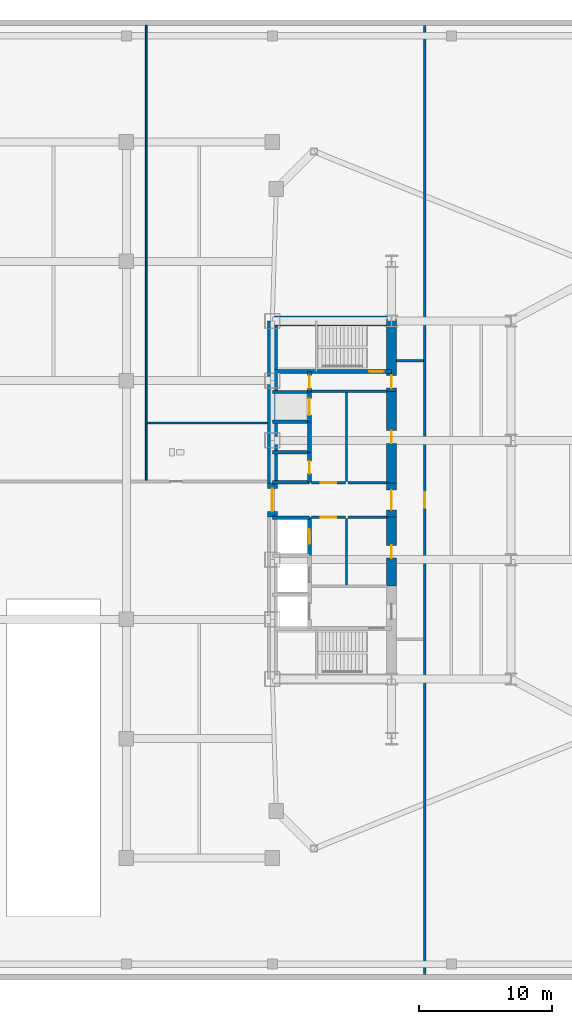
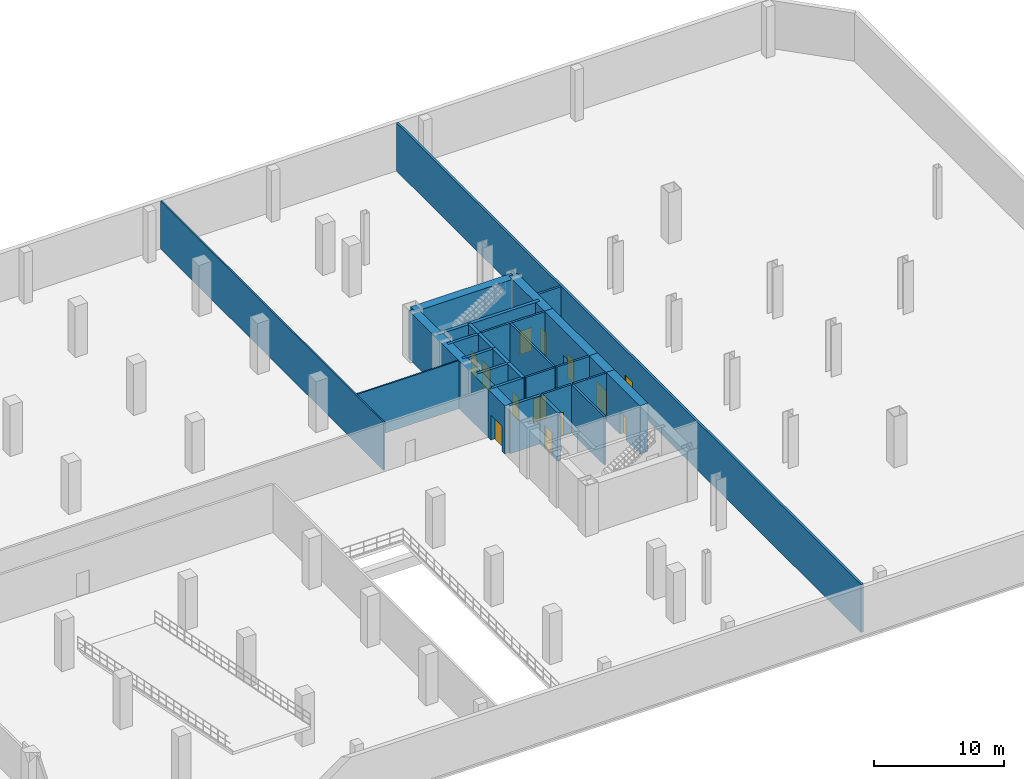
# One storey, part 13 of 18: 29 walls, 13 doors, 13 openings.
"""IFC4 building model written with IfcOpenShell, lengths in metres."""

from ifc_helpers import new_model, si_unit, direction, frame, frame_2d, origin, place, context, subcontext, project, spatial, rectangle, extrude, source, transform, mapped, material, layer, layer_set, type_object, type_shapes, element, fill, save


model = new_model("IFC4")

# Units and contexts
model_context = context("Model", 3, precision=1e-05, world=origin(), true_north=direction((0.0, 1.0)))
body_context = subcontext(model_context, "Body", "Model", "MODEL_VIEW")
ifc_project = project(units=[si_unit("LENGTHUNIT", "METRE"), si_unit("AREAUNIT", "SQUARE_METRE"), si_unit("VOLUMEUNIT", "CUBIC_METRE"), si_unit("PLANEANGLEUNIT", "RADIAN"), si_unit("MASSUNIT", "GRAM", prefix="KILO")], contexts=[model_context])

# Site, building, storey
site_placement = place(None, origin())
site = spatial("IfcSite", under=ifc_project, at=site_placement, CompositionType="ELEMENT")
building_placement = place(site_placement, origin())
building = spatial("IfcBuilding", under=site, at=building_placement, Name="Seokmaru Belvedere", CompositionType="ELEMENT")
storey_placement = place(building_placement, frame((0.0, 0.0, -4.800048828125)))
storey = spatial("IfcBuildingStorey", under=building, at=storey_placement, Name="B1", CompositionType="ELEMENT", Elevation=-4.800048828125)

# Walls
ifc_material_1 = material(Name="Fire-Rated Gypsum Shaftwall")
ifc_layer_1 = layer(ifc_material_1, 0.179931640625)
ifc_layer_set_1 = layer_set([ifc_layer_1], Name="Fire-Rated Gypsum Shaftwall")
wall_type_1 = type_object("IfcWallType", Name="Core Service Fire Partition 180", PredefinedType="PARTITIONING", material=ifc_layer_set_1)
wall_1_placement = place(storey_placement, frame((30.449951171875, 8.199951171875, 0.0), z_axis=(0.0, 0.0, 1.0), x_axis=(1.0, 0.0, 0.0)))
element("IfcWall", 1, at=wall_1_placement, inside=storey, type_object=wall_type_1, Name="B1 East Smokeproof Vestibule Partition", PredefinedType="PARTITIONING", context=body_context, shape_type="SweptSolid", body=[
    extrude(rectangle(XDim=5.699951171875, YDim=0.179931640625, at=frame_2d((2.85009765625, 0.0))), origin(), (0.0, 0.0, 1.0), 4.52001953125),
])
wall_2_placement = place(storey_placement, frame((33.10009765625, -6.419921875, 0.0), z_axis=(0.0, 0.0, 1.0), x_axis=(0.0, 1.0, 0.0)))
element("IfcWall", 2, at=wall_2_placement, inside=storey, type_object=wall_type_1, Name="B1 East South Core Service Back Wall", PredefinedType="PARTITIONING", context=body_context, shape_type="SweptSolid", body=[
    extrude(rectangle(XDim=5.0400390625, YDim=0.179931640625, at=frame_2d((2.52001953125, 0.0))), origin(), (0.0, 0.0, 1.0), 4.52001953125),
])
wall_3_placement = place(storey_placement, frame((33.10009765625, 1.3798828125, 0.0), z_axis=(0.0, 0.0, 1.0), x_axis=(0.0, 1.0, 0.0)))
element("IfcWall", 3, at=wall_3_placement, inside=storey, type_object=wall_type_1, Name="B1 East North Core Service Back Wall", PredefinedType="PARTITIONING", context=body_context, shape_type="SweptSolid", body=[
    extrude(rectangle(XDim=6.740234375, YDim=0.179931640625, at=frame_2d((3.3701171875, 0.0))), origin(), (0.0, 0.0, 1.0), 4.52001953125),
])

# Wall, opening, door
wall_4_placement = place(storey_placement, frame((30.449951171875, -1.300048828125, 0.0), z_axis=(0.0, 0.0, 1.0), x_axis=(1.0, 0.0, 0.0)))
wall_4 = element("IfcWall", 4, at=wall_4_placement, inside=storey, type_object=wall_type_1, Name="B1 East South Lift Lobby Foyer Wall", PredefinedType="PARTITIONING", context=body_context, shape_type="SweptSolid", body=[
    extrude(rectangle(XDim=2.570068359375, YDim=0.179931640625, at=frame_2d((1.28515625, 0.0))), origin(), (0.0, 0.0, 1.0), 4.52001953125),
])
opening_1_placement = place(wall_4_placement, frame((0.7099609375, 0.0, 0.0)))
opening_1 = element("IfcOpeningElement", 5, at=opening_1_placement, cuts=wall_4, Name="Opening D02", PredefinedType="OPENING", context=body_context, shape_type="SweptSolid", body=[
    extrude(rectangle(XDim=1.14990234375, YDim=2.199951171875, at=frame_2d((0.574951171875, 1.10009765625))), frame((0.0, 0.10009765625, 0.0), z_axis=(0.0, -1.0, 0.0), x_axis=(1.0, 0.0, 0.0)), (0.0, 0.0, 1.0), 0.199951171875),
])
ifc_material_2 = material(Name="Fire-Rated Steel Leaf", Category="steel")
door_type_1 = type_object("IfcDoorType", Name="Lobby and Vestibule Fire Door 1150x2200", OperationType="NOTDEFINED", PredefinedType="DOOR", material=ifc_material_2)
shared_shape_1 = source(origin(), body_context, "Body", "SweptSolid", [
    extrude(rectangle(XDim=1.14990234375, YDim=2.199951171875, at=frame_2d((0.574951171875, 1.10009765625))), frame((0.0, 0.02490234375, 0.0), z_axis=(0.0, -1.0, 0.0), x_axis=(1.0, 0.0, 0.0)), (0.0, 0.0, 1.0), 0.050048828125),
])
type_shapes(door_type_1, [shared_shape_1])
door_1_placement = place(opening_1_placement, origin())
door_1 = element("IfcDoor", 6, at=door_1_placement, inside=storey, type_object=door_type_1, Name="B1 East South Core Foyer Door", OperationType="SINGLE_SWING_RIGHT", OverallHeight=2.199951171875, OverallWidth=1.14990234375, PredefinedType="DOOR", context=body_context, shape_type="MappedRepresentation", body=[
    mapped(shared_shape_1, transform((0.0, 0.0, 0.0), scale=1.0)),
])
fill(opening_1, door_1)

wall_5_placement = place(storey_placement, frame((30.449951171875, 1.300048828125, 0.0), z_axis=(0.0, 0.0, 1.0), x_axis=(1.0, 0.0, 0.0)))
wall_5 = element("IfcWall", 7, at=wall_5_placement, inside=storey, type_object=wall_type_1, Name="B1 East North Lift Lobby Foyer Wall", PredefinedType="PARTITIONING", context=body_context, shape_type="SweptSolid", body=[
    extrude(rectangle(XDim=2.570068359375, YDim=0.179931640625, at=frame_2d((1.28515625, 0.0))), origin(), (0.0, 0.0, 1.0), 4.52001953125),
])
opening_2_placement = place(wall_5_placement, frame((0.7099609375, 0.0, 0.0)))
opening_2 = element("IfcOpeningElement", 8, at=opening_2_placement, cuts=wall_5, Name="Opening D02", PredefinedType="OPENING", context=body_context, shape_type="SweptSolid", body=[
    extrude(rectangle(XDim=1.14990234375, YDim=2.199951171875, at=frame_2d((0.574951171875, 1.10009765625))), frame((0.0, 0.10009765625, 0.0), z_axis=(0.0, -1.0, 0.0), x_axis=(1.0, 0.0, 0.0)), (0.0, 0.0, 1.0), 0.199951171875),
])
door_2_placement = place(opening_2_placement, origin())
door_2 = element("IfcDoor", 9, at=door_2_placement, inside=storey, type_object=door_type_1, Name="B1 East North Lift Lobby Door", OperationType="SINGLE_SWING_LEFT", OverallHeight=2.199951171875, OverallWidth=1.14990234375, PredefinedType="DOOR", context=body_context, shape_type="MappedRepresentation", body=[
    mapped(shared_shape_1, transform((0.0, 0.0, 0.0), scale=1.0)),
])
fill(opening_2, door_2)

# Walls
for number, where, z_axis, x_axis, name in (
    (10, (33.199951171875, -1.300048828125, 0.0), (0.0, 0.0, 1.0), (1.0, 0.0, 0.0), "B1 East Foyer Side Wall S"),
    (11, (33.199951171875, 1.300048828125, 0.0), (0.0, 0.0, 1.0), (1.0, 0.0, 0.0), "B1 East Foyer Side Wall N"),
):
    element("IfcWall", number, at=place(storey_placement, frame(where, z_axis=z_axis, x_axis=x_axis)), inside=storey, type_object=wall_type_1, Name=name, PredefinedType="PARTITIONING", context=body_context, shape_type="SweptSolid", body=[
        extrude(rectangle(XDim=2.949951171875, YDim=0.179931640625, at=frame_2d((1.47509765625, 0.0))), origin(), (0.0, 0.0, 1.0), 4.52001953125),
    ])
ifc_material_3 = material(Name="Concrete C50 (50 MPa)", Category="concrete")
ifc_layer_2 = layer(ifc_material_3, 0.25)
ifc_layer_set_2 = layer_set([ifc_layer_2], Name="Concrete C50 (50 MPa)")
wall_type_2 = type_object("IfcWallType", Name="Hoistway Transverse Concrete Divider Wall 250", PredefinedType="SHEAR", material=ifc_layer_set_2)
for number, where, z_axis, x_axis, name in (
    (12, (27.5, -1.35009765625, 0.0), (0.0, 0.0, 1.0), (1.0, 0.0, 0.0), "B1 East Hoistway Divider Core Wall 3"),
    (13, (27.5, 1.35009765625, 0.0), (0.0, 0.0, 1.0), (1.0, 0.0, 0.0), "B1 East Hoistway Divider Core Wall 4"),
    (14, (27.5, 3.60009765625, 0.0), (0.0, 0.0, 1.0), (1.0, 0.0, 0.0), "B1 East Hoistway Divider Core Wall 5"),
    (15, (27.5, 5.89990234375, 0.0), (0.0, 0.0, 1.0), (1.0, 0.0, 0.0), "B1 East Hoistway Divider Core Wall 6"),
    (16, (27.5, 8.14990234375, 0.0), (0.0, 0.0, 1.0), (1.0, 0.0, 0.0), "B1 East Hoistway Divider Core Wall 7"),
):
    element("IfcWall", number, at=place(storey_placement, frame(where, z_axis=z_axis, x_axis=x_axis)), inside=storey, type_object=wall_type_2, Name=name, PredefinedType="SHEAR", context=body_context, shape_type="SweptSolid", body=[
        extrude(rectangle(XDim=2.800048828125, YDim=0.25, at=frame_2d((1.39990234375, 0.0))), origin(), (0.0, 0.0, 1.0), 4.52001953125),
    ])
ifc_layer_3 = layer(ifc_material_1, 0.199951171875)
ifc_layer_set_3 = layer_set([ifc_layer_3], Name="Fire-Rated Gypsum Shaftwall")
wall_type_3 = type_object("IfcWallType", Name="Inter-Tenancy Fire Compartment Partition 200", PredefinedType="PARTITIONING", material=ifc_layer_set_3)
wall_6_placement = place(storey_placement, frame((36.8798828125, 10.5, 0.0), z_axis=(0.0, 0.0, 1.0), x_axis=(1.0, 0.0, 0.0)))
element("IfcWall", 17, at=wall_6_placement, inside=storey, type_object=wall_type_3, Name="B1 Interior Partition 007", PredefinedType="PARTITIONING", context=body_context, shape_type="SweptSolid", body=[
    extrude(rectangle(XDim=2.03515625, YDim=0.199951171875, at=frame_2d((1.017578125, 0.0))), origin(), (0.0, 0.0, 1.0), 4.52001953125),
])

# Wall, opening, door
wall_7_placement = place(storey_placement, frame((39.0, -35.794921875, 0.0), z_axis=(0.0, 0.0, 1.0), x_axis=(0.0, 1.0, 0.0)))
wall_7 = element("IfcWall", 18, at=wall_7_placement, inside=storey, type_object=wall_type_3, Name="B1 Interior Partition 013", PredefinedType="PARTITIONING", context=body_context, shape_type="SweptSolid", body=[
    extrude(rectangle(XDim=71.58984375, YDim=0.199951171875, at=frame_2d((35.794921875, 0.0))), origin(), (0.0, 0.0, 1.0), 4.52001953125),
])
opening_3_placement = place(wall_7_placement, frame((35.219970703125, 0.0, 0.0)))
opening_3 = element("IfcOpeningElement", 19, at=opening_3_placement, cuts=wall_7, Name="Opening D02", PredefinedType="OPENING", context=body_context, shape_type="SweptSolid", body=[
    extrude(rectangle(XDim=1.14990234375, YDim=2.199951171875, at=frame_2d((0.574951171875, 1.10009765625))), frame((0.0, 0.10986328125, 0.0), z_axis=(0.0, -1.0, 0.0), x_axis=(1.0, 0.0, 0.0)), (0.0, 0.0, 1.0), 0.219970703125),
])
door_3_placement = place(opening_3_placement, origin())
door_3 = element("IfcDoor", 20, at=door_3_placement, inside=storey, type_object=door_type_1, Name="B1 Interior Door 002", OperationType="SINGLE_SWING_RIGHT", OverallHeight=2.199951171875, OverallWidth=1.14990234375, PredefinedType="DOOR", context=body_context, shape_type="MappedRepresentation", body=[
    mapped(shared_shape_1, transform((0.0, 0.0, 0.0), scale=1.0)),
])
fill(opening_3, door_3)

ifc_layer_4 = layer(ifc_material_3, 0.300048828125)
ifc_layer_set_4 = layer_set([ifc_layer_4], Name="Concrete C50 (50 MPa)")
wall_type_4 = type_object("IfcWallType", Name="Internal Core Stair and Hoistway Wall 300", PredefinedType="SHEAR", material=ifc_layer_set_4)
wall_8_placement = place(storey_placement, frame((27.5, 9.699951171875, 0.0), z_axis=(0.0, 0.0, 1.0), x_axis=(1.0, 0.0, 0.0)))
wall_8 = element("IfcWall", 21, at=wall_8_placement, inside=storey, type_object=wall_type_4, Name="B1 East Stair ST-2 Enclosure Wall", PredefinedType="SHEAR", context=body_context, shape_type="SweptSolid", body=[
    extrude(rectangle(XDim=9.0, YDim=0.300048828125, at=frame_2d((4.5, 0.0))), origin(), (0.0, 0.0, 1.0), 4.52001953125),
])
opening_4_placement = place(wall_8_placement, frame((7.300048828125, 0.0, 0.0)))
opening_4 = element("IfcOpeningElement", 22, at=opening_4_placement, cuts=wall_8, Name="Opening D01", PredefinedType="OPENING", context=body_context, shape_type="SweptSolid", body=[
    extrude(rectangle(XDim=1.10009765625, YDim=2.199951171875, at=frame_2d((0.550048828125, 1.10009765625))), frame((0.0, 0.16015625, 0.0), z_axis=(0.0, -1.0, 0.0), x_axis=(1.0, 0.0, 0.0)), (0.0, 0.0, 1.0), 0.320068359375),
])
door_type_2 = type_object("IfcDoorType", Name="Special Escape Stair Smokeproof Fire Door 1100x2200", OperationType="NOTDEFINED", PredefinedType="DOOR", material=ifc_material_2)
shared_shape_2 = source(origin(), body_context, "Body", "SweptSolid", [
    extrude(rectangle(XDim=1.10009765625, YDim=2.199951171875, at=frame_2d((0.550048828125, 1.10009765625))), frame((0.0, 0.02490234375, 0.0), z_axis=(0.0, -1.0, 0.0), x_axis=(1.0, 0.0, 0.0)), (0.0, 0.0, 1.0), 0.050048828125),
])
type_shapes(door_type_2, [shared_shape_2])
door_4_placement = place(opening_4_placement, origin())
door_4 = element("IfcDoor", 23, at=door_4_placement, inside=storey, type_object=door_type_2, Name="B1 East Special Escape Stair ST-2 Door", OperationType="SINGLE_SWING_LEFT", OverallHeight=2.199951171875, OverallWidth=1.10009765625, PredefinedType="DOOR", context=body_context, shape_type="MappedRepresentation", body=[
    mapped(shared_shape_2, transform((0.0, 0.0, 0.0), scale=1.0)),
])
fill(opening_4, door_4)

wall_9_placement = place(storey_placement, frame((30.300048828125, -4.199951171875, 0.0), z_axis=(0.0, 0.0, 1.0), x_axis=(0.0, 1.0, 0.0)))
wall_9 = element("IfcWall", 24, at=wall_9_placement, inside=storey, type_object=wall_type_4, Name="B1 East Low-Rise Lift PL-2 Front Wall", PredefinedType="SHEAR", context=body_context, shape_type="SweptSolid", body=[
    extrude(rectangle(XDim=2.8798828125, YDim=0.300048828125, at=frame_2d((1.43994140625, 0.0))), origin(), (0.0, 0.0, 1.0), 4.52001953125),
])
opening_5_placement = place(wall_9_placement, frame((0.889892578125, 0.0, 0.0)))
opening_5 = element("IfcOpeningElement", 25, at=opening_5_placement, cuts=wall_9, Name="Opening LD1", PredefinedType="OPENING", context=body_context, shape_type="SweptSolid", body=[
    extrude(rectangle(XDim=1.10009765625, YDim=2.199951171875, at=frame_2d((0.550048828125, 1.10009765625))), frame((0.0, 0.16015625, 0.0), z_axis=(0.0, -1.0, 0.0), x_axis=(1.0, 0.0, 0.0)), (0.0, 0.0, 1.0), 0.320068359375),
])
ifc_material_4 = material(Name="Stainless Steel 316", Category="steel")
door_type_3 = type_object("IfcDoorType", Name="Passenger Lift Sliding Landing Door 1100x2200", OperationType="DOUBLE_DOOR_SLIDING", PredefinedType="DOOR", material=ifc_material_4)
shared_shape_3 = source(origin(), body_context, "Body", "SweptSolid", [
    extrude(rectangle(XDim=1.10009765625, YDim=2.199951171875, at=frame_2d((0.550048828125, 1.10009765625))), frame((0.0, 0.02490234375, 0.0), z_axis=(0.0, -1.0, 0.0), x_axis=(1.0, 0.0, 0.0)), (0.0, 0.0, 1.0), 0.050048828125),
])
type_shapes(door_type_3, [shared_shape_3])
door_5_placement = place(opening_5_placement, origin())
door_5 = element("IfcDoor", 26, at=door_5_placement, inside=storey, type_object=door_type_3, Name="B1 East Low-Rise Lift PL-2 Landing Door", OperationType="DOUBLE_DOOR_SLIDING", OverallHeight=2.199951171875, OverallWidth=1.10009765625, PredefinedType="DOOR", context=body_context, shape_type="MappedRepresentation", body=[
    mapped(shared_shape_3, transform((0.0, 0.0, 0.0), scale=1.0)),
])
fill(opening_5, door_5)

wall_10_placement = place(storey_placement, frame((30.300048828125, 1.320068359375, 0.0), z_axis=(0.0, 0.0, 1.0), x_axis=(0.0, 1.0, 0.0)))
wall_10 = element("IfcWall", 27, at=wall_10_placement, inside=storey, type_object=wall_type_4, Name="B1 East North Hoistway Wall PH1", PredefinedType="SHEAR", context=body_context, shape_type="SweptSolid", body=[
    extrude(rectangle(XDim=2.280029296875, YDim=0.300048828125, at=frame_2d((1.14013671875, 0.0))), origin(), (0.0, 0.0, 1.0), 4.52001953125),
])
opening_6_placement = place(wall_10_placement, frame((0.6650390625, 0.0, 0.0)))
opening_6 = element("IfcOpeningElement", 28, at=opening_6_placement, cuts=wall_10, Name="Opening D04", PredefinedType="OPENING", context=body_context, shape_type="SweptSolid", body=[
    extrude(rectangle(XDim=0.949951171875, YDim=2.14990234375, at=frame_2d((0.47509765625, 1.074951171875))), frame((0.0, 0.16015625, 0.0), z_axis=(0.0, -1.0, 0.0), x_axis=(1.0, 0.0, 0.0)), (0.0, 0.0, 1.0), 0.320068359375),
])
door_type_4 = type_object("IfcDoorType", Name="Core Service Room Fire Door 950x2150", OperationType="NOTDEFINED", PredefinedType="DOOR", material=ifc_material_2)
shared_shape_4 = source(origin(), body_context, "Body", "SweptSolid", [
    extrude(rectangle(XDim=0.949951171875, YDim=2.14990234375, at=frame_2d((0.47509765625, 1.074951171875))), frame((0.0, 0.02490234375, 0.0), z_axis=(0.0, -1.0, 0.0), x_axis=(1.0, 0.0, 0.0)), (0.0, 0.0, 1.0), 0.050048828125),
])
type_shapes(door_type_4, [shared_shape_4])
door_6_placement = place(opening_6_placement, origin())
door_6 = element("IfcDoor", 29, at=door_6_placement, inside=storey, type_object=door_type_4, Name="B1 East Telecom Room Door", OperationType="SINGLE_SWING_RIGHT", OverallHeight=2.14990234375, OverallWidth=0.949951171875, PredefinedType="DOOR", context=body_context, shape_type="MappedRepresentation", body=[
    mapped(shared_shape_4, transform((0.0, 0.0, 0.0), scale=1.0)),
])
fill(opening_6, door_6)

# Wall
wall_11_placement = place(storey_placement, frame((30.300048828125, 3.60009765625, 0.0), z_axis=(0.0, 0.0, 1.0), x_axis=(0.0, 1.0, 0.0)))
element("IfcWall", 30, at=wall_11_placement, inside=storey, type_object=wall_type_4, Name="B1 East North Hoistway Wall PH2", PredefinedType="SHEAR", context=body_context, shape_type="SweptSolid", body=[
    extrude(rectangle(XDim=2.2998046875, YDim=0.300048828125, at=frame_2d((1.14990234375, 0.0))), origin(), (0.0, 0.0, 1.0), 4.52001953125),
])

# Wall, opening, door
wall_12_placement = place(storey_placement, frame((30.300048828125, 5.89990234375, 0.0), z_axis=(0.0, 0.0, 1.0), x_axis=(0.0, 1.0, 0.0)))
wall_12 = element("IfcWall", 31, at=wall_12_placement, inside=storey, type_object=wall_type_4, Name="B1 East North Hoistway Wall OBS", PredefinedType="SHEAR", context=body_context, shape_type="SweptSolid", body=[
    extrude(rectangle(XDim=2.25, YDim=0.300048828125, at=frame_2d((1.125, 0.0))), origin(), (0.0, 0.0, 1.0), 4.52001953125),
])
opening_7_placement = place(wall_12_placement, frame((0.4951171875, 0.0, 0.0)))
opening_7 = element("IfcOpeningElement", 32, at=opening_7_placement, cuts=wall_12, Name="Opening LD3", PredefinedType="OPENING", context=body_context, shape_type="SweptSolid", body=[
    extrude(rectangle(XDim=1.25, YDim=2.300048828125, at=frame_2d((0.625, 1.14990234375))), frame((0.0, 0.16015625, 0.0), z_axis=(0.0, -1.0, 0.0), x_axis=(1.0, 0.0, 0.0)), (0.0, 0.0, 1.0), 0.320068359375),
])
door_type_5 = type_object("IfcDoorType", Name="Observatory Shuttle Sliding Landing Door 1250x2300", OperationType="DOUBLE_DOOR_SLIDING", PredefinedType="DOOR", material=ifc_material_4)
shared_shape_5 = source(origin(), body_context, "Body", "SweptSolid", [
    extrude(rectangle(XDim=1.25, YDim=2.300048828125, at=frame_2d((0.625, 1.14990234375))), frame((0.0, 0.02490234375, 0.0), z_axis=(0.0, -1.0, 0.0), x_axis=(1.0, 0.0, 0.0)), (0.0, 0.0, 1.0), 0.050048828125),
])
type_shapes(door_type_5, [shared_shape_5])
door_7_placement = place(opening_7_placement, origin())
door_7 = element("IfcDoor", 33, at=door_7_placement, inside=storey, type_object=door_type_5, Name="B1 East Express Observatory Lift Landing Door", OperationType="DOUBLE_DOOR_SLIDING", OverallHeight=2.300048828125, OverallWidth=1.25, PredefinedType="DOOR", context=body_context, shape_type="MappedRepresentation", body=[
    mapped(shared_shape_5, transform((0.0, 0.0, 0.0), scale=1.0)),
])
fill(opening_7, door_7)

wall_13_placement = place(storey_placement, frame((30.300048828125, 8.14990234375, 0.0), z_axis=(0.0, 0.0, 1.0), x_axis=(0.0, 1.0, 0.0)))
wall_13 = element("IfcWall", 34, at=wall_13_placement, inside=storey, type_object=wall_type_4, Name="B1 East Electrical Riser Front Wall", PredefinedType="SHEAR", context=body_context, shape_type="SweptSolid", body=[
    extrude(rectangle(XDim=1.530029296875, YDim=0.300048828125, at=frame_2d((0.76513671875, 0.0))), origin(), (0.0, 0.0, 1.0), 4.52001953125),
])
opening_8_placement = place(wall_13_placement, frame((0.284912109375, 0.0, 0.0)))
opening_8 = element("IfcOpeningElement", 35, at=opening_8_placement, cuts=wall_13, Name="Opening D04", PredefinedType="OPENING", context=body_context, shape_type="SweptSolid", body=[
    extrude(rectangle(XDim=0.949951171875, YDim=2.14990234375, at=frame_2d((0.47509765625, 1.074951171875))), frame((0.0, 0.16015625, 0.0), z_axis=(0.0, -1.0, 0.0), x_axis=(1.0, 0.0, 0.0)), (0.0, 0.0, 1.0), 0.320068359375),
])
door_8_placement = place(opening_8_placement, origin())
door_8 = element("IfcDoor", 36, at=door_8_placement, inside=storey, type_object=door_type_4, Name="B1 East Electrical Riser Access Door", OperationType="SINGLE_SWING_RIGHT", OverallHeight=2.14990234375, OverallWidth=0.949951171875, PredefinedType="DOOR", context=body_context, shape_type="MappedRepresentation", body=[
    mapped(shared_shape_4, transform((0.0, 0.0, 0.0), scale=1.0)),
])
fill(opening_8, door_8)

# Wall
ifc_material_5 = material(Name="Concrete C60 (60 MPa)", Category="concrete")
ifc_layer_5 = layer(ifc_material_5, 0.75)
ifc_layer_set_5 = layer_set([ifc_layer_5], Name="Concrete C60 (60 MPa)")
wall_type_5 = type_object("IfcWallType", Name="Lower Tower Reinforced Concrete Core Wall 750", PredefinedType="SHEAR", material=ifc_layer_set_5)
wall_14_placement = place(storey_placement, frame((27.5, 1.300048828125, 0.0), z_axis=(0.0, 0.0, 1.0), x_axis=(0.0, 1.0, 0.0)))
element("IfcWall", 37, at=wall_14_placement, inside=storey, type_object=wall_type_5, Name="B1 East Portal Spine Core Wall North", PredefinedType="SHEAR", context=body_context, shape_type="SweptSolid", body=[
    extrude(rectangle(XDim=12.199951171875, YDim=0.75, at=frame_2d((6.10009765625, 0.0))), origin(), (0.0, 0.0, 1.0), 4.52001953125),
])

# Wall, opening, door
wall_15_placement = place(storey_placement, frame((27.5, -1.300048828125, 0.0), z_axis=(0.0, 0.0, 1.0), x_axis=(0.0, 1.0, 0.0)))
wall_15 = element("IfcWall", 38, at=wall_15_placement, inside=storey, type_object=wall_type_5, Name="B1 East Portal Spine Core Wall Center", PredefinedType="SHEAR", context=body_context, shape_type="SweptSolid", body=[
    extrude(rectangle(XDim=2.60009765625, YDim=0.75, at=frame_2d((1.300048828125, 0.0))), origin(), (0.0, 0.0, 1.0), 4.52001953125),
])
opening_9_placement = place(wall_15_placement, frame((0.449951171875, 0.0, 0.0)))
opening_9 = element("IfcOpeningElement", 39, at=opening_9_placement, cuts=wall_15, Name="Opening D09", PredefinedType="OPENING", context=body_context, shape_type="SweptSolid", body=[
    extrude(rectangle(XDim=1.699951171875, YDim=2.35009765625, at=frame_2d((0.85009765625, 1.175048828125))), frame((0.0, 0.385009765625, 0.0), z_axis=(0.0, -1.0, 0.0), x_axis=(1.0, 0.0, 0.0)), (0.0, 0.0, 1.0), 0.77001953125),
])
door_type_6 = type_object("IfcDoorType", Name="Sky-Gate Bridge Inter-Tower Fire Door 1700x2350", OperationType="DOUBLE_SWING_LEFT", PredefinedType="DOOR", material=ifc_material_2)
shared_shape_6 = source(origin(), body_context, "Body", "SweptSolid", [
    extrude(rectangle(XDim=1.699951171875, YDim=2.35009765625, at=frame_2d((0.85009765625, 1.175048828125))), frame((0.0, 0.02490234375, 0.0), z_axis=(0.0, -1.0, 0.0), x_axis=(1.0, 0.0, 0.0)), (0.0, 0.0, 1.0), 0.050048828125),
])
type_shapes(door_type_6, [shared_shape_6])
door_9_placement = place(opening_9_placement, origin())
door_9 = element("IfcDoor", 40, at=door_9_placement, inside=storey, type_object=door_type_6, Name="B1 East Inter-Tower Fire Door", OperationType="DOUBLE_SWING_LEFT", OverallHeight=2.35009765625, OverallWidth=1.699951171875, PredefinedType="DOOR", context=body_context, shape_type="MappedRepresentation", body=[
    mapped(shared_shape_6, transform((0.0, 0.0, 0.0), scale=1.0)),
])
fill(opening_9, door_9)

# Wall
wall_16_placement = place(storey_placement, frame((27.5, 13.5, 0.0), z_axis=(0.0, 0.0, 1.0), x_axis=(1.0, 0.0, 0.0)))
element("IfcWall", 41, at=wall_16_placement, inside=storey, type_object=wall_type_5, Name="B1 East North Core Wall", PredefinedType="SHEAR", context=body_context, shape_type="SweptSolid", body=[
    extrude(rectangle(XDim=9.0, YDim=0.75, at=frame_2d((4.5, 0.0))), origin(), (0.0, 0.0, 1.0), 4.52001953125),
])

# Wall, opening, door
wall_17_placement = place(storey_placement, frame((36.5, -1.300048828125, 0.0), z_axis=(0.0, 0.0, 1.0), x_axis=(0.0, 1.0, 0.0)))
wall_17 = element("IfcWall", 42, at=wall_17_placement, inside=storey, type_object=wall_type_5, Name="B1 East West Core Wall FOY", PredefinedType="SHEAR", context=body_context, shape_type="SweptSolid", body=[
    extrude(rectangle(XDim=2.60009765625, YDim=0.75, at=frame_2d((1.300048828125, 0.0))), origin(), (0.0, 0.0, 1.0), 4.52001953125),
])
opening_10_placement = place(wall_17_placement, frame((0.550048828125, 0.0, 0.0)))
opening_10 = element("IfcOpeningElement", 43, at=opening_10_placement, cuts=wall_17, Name="Opening D08", PredefinedType="OPENING", context=body_context, shape_type="SweptSolid", body=[
    extrude(rectangle(XDim=1.5, YDim=2.300048828125, at=frame_2d((0.75, 1.14990234375))), frame((0.0, 0.385009765625, 0.0), z_axis=(0.0, -1.0, 0.0), x_axis=(1.0, 0.0, 0.0)), (0.0, 0.0, 1.0), 0.77001953125),
])
door_type_7 = type_object("IfcDoorType", Name="Cross-Corridor Compartment Double Fire Door 1500x2300", OperationType="DOUBLE_SWING_LEFT", PredefinedType="DOOR", material=ifc_material_2)
shared_shape_7 = source(origin(), body_context, "Body", "SweptSolid", [
    extrude(rectangle(XDim=1.5, YDim=2.300048828125, at=frame_2d((0.75, 1.14990234375))), frame((0.0, 0.02490234375, 0.0), z_axis=(0.0, -1.0, 0.0), x_axis=(1.0, 0.0, 0.0)), (0.0, 0.0, 1.0), 0.050048828125),
])
type_shapes(door_type_7, [shared_shape_7])
door_10_placement = place(opening_10_placement, origin())
door_10 = element("IfcDoor", 44, at=door_10_placement, inside=storey, type_object=door_type_7, Name="B1 East Core Foyer Compartment Door", OperationType="DOUBLE_SWING_LEFT", OverallHeight=2.300048828125, OverallWidth=1.5, PredefinedType="DOOR", context=body_context, shape_type="MappedRepresentation", body=[
    mapped(shared_shape_7, transform((0.0, 0.0, 0.0), scale=1.0)),
])
fill(opening_10, door_10)

wall_18_placement = place(storey_placement, frame((36.5, 8.199951171875, 0.0), z_axis=(0.0, 0.0, 1.0), x_axis=(0.0, 1.0, 0.0)))
wall_18 = element("IfcWall", 45, at=wall_18_placement, inside=storey, type_object=wall_type_5, Name="B1 East West Core Wall VST", PredefinedType="SHEAR", context=body_context, shape_type="SweptSolid", body=[
    extrude(rectangle(XDim=5.449951171875, YDim=0.75, at=frame_2d((2.72509765625, 0.0))), origin(), (0.0, 0.0, 1.0), 4.52001953125),
])
opening_11_placement = place(wall_18_placement, frame((0.2451171875, 0.0, 0.0)))
opening_11 = element("IfcOpeningElement", 46, at=opening_11_placement, cuts=wall_18, Name="Opening D04", PredefinedType="OPENING", context=body_context, shape_type="SweptSolid", body=[
    extrude(rectangle(XDim=0.949951171875, YDim=2.14990234375, at=frame_2d((0.47509765625, 1.074951171875))), frame((0.0, 0.385009765625, 0.0), z_axis=(0.0, -1.0, 0.0), x_axis=(1.0, 0.0, 0.0)), (0.0, 0.0, 1.0), 0.77001953125),
])
door_11_placement = place(opening_11_placement, origin())
door_11 = element("IfcDoor", 47, at=door_11_placement, inside=storey, type_object=door_type_4, Name="B1 East Smokeproof Vestibule Door", OperationType="SINGLE_SWING_LEFT", OverallHeight=2.14990234375, OverallWidth=0.949951171875, PredefinedType="DOOR", context=body_context, shape_type="MappedRepresentation", body=[
    mapped(shared_shape_4, transform((0.0, 0.0, 0.0), scale=1.0)),
])
fill(opening_11, door_11)

wall_19_placement = place(storey_placement, frame((36.5, -6.5, 0.0), z_axis=(0.0, 0.0, 1.0), x_axis=(0.0, 1.0, 0.0)))
wall_19 = element("IfcWall", 48, at=wall_19_placement, inside=storey, type_object=wall_type_5, Name="B1 East West Core Wall CS1", PredefinedType="SHEAR", context=body_context, shape_type="SweptSolid", body=[
    extrude(rectangle(XDim=5.199951171875, YDim=0.75, at=frame_2d((2.60009765625, 0.0))), origin(), (0.0, 0.0, 1.0), 4.52001953125),
])
opening_12_placement = place(wall_19_placement, frame((2.125, 0.0, 0.0)))
opening_12 = element("IfcOpeningElement", 49, at=opening_12_placement, cuts=wall_19, Name="Opening D04", PredefinedType="OPENING", context=body_context, shape_type="SweptSolid", body=[
    extrude(rectangle(XDim=0.949951171875, YDim=2.14990234375, at=frame_2d((0.47509765625, 1.074951171875))), frame((0.0, 0.385009765625, 0.0), z_axis=(0.0, -1.0, 0.0), x_axis=(1.0, 0.0, 0.0)), (0.0, 0.0, 1.0), 0.77001953125),
])
door_12_placement = place(opening_12_placement, origin())
door_12 = element("IfcDoor", 50, at=door_12_placement, inside=storey, type_object=door_type_4, Name="B1 East Core Service Room Door 1", OperationType="SINGLE_SWING_RIGHT", OverallHeight=2.14990234375, OverallWidth=0.949951171875, PredefinedType="DOOR", context=body_context, shape_type="MappedRepresentation", body=[
    mapped(shared_shape_4, transform((0.0, 0.0, 0.0), scale=1.0)),
])
fill(opening_12, door_12)

wall_20_placement = place(storey_placement, frame((36.5, 1.300048828125, 0.0), z_axis=(0.0, 0.0, 1.0), x_axis=(0.0, 1.0, 0.0)))
wall_20 = element("IfcWall", 51, at=wall_20_placement, inside=storey, type_object=wall_type_5, Name="B1 East West Core Wall CS2", PredefinedType="SHEAR", context=body_context, shape_type="SweptSolid", body=[
    extrude(rectangle(XDim=6.89990234375, YDim=0.75, at=frame_2d((3.449951171875, 0.0))), origin(), (0.0, 0.0, 1.0), 4.52001953125),
])
opening_13_placement = place(wall_20_placement, frame((2.97509765625, 0.0, 0.0)))
opening_13 = element("IfcOpeningElement", 52, at=opening_13_placement, cuts=wall_20, Name="Opening D04", PredefinedType="OPENING", context=body_context, shape_type="SweptSolid", body=[
    extrude(rectangle(XDim=0.949951171875, YDim=2.14990234375, at=frame_2d((0.47509765625, 1.074951171875))), frame((0.0, 0.385009765625, 0.0), z_axis=(0.0, -1.0, 0.0), x_axis=(1.0, 0.0, 0.0)), (0.0, 0.0, 1.0), 0.77001953125),
])
door_13_placement = place(opening_13_placement, origin())
door_13 = element("IfcDoor", 53, at=door_13_placement, inside=storey, type_object=door_type_4, Name="B1 East Core Service Room Door 2", OperationType="SINGLE_SWING_LEFT", OverallHeight=2.14990234375, OverallWidth=0.949951171875, PredefinedType="DOOR", context=body_context, shape_type="MappedRepresentation", body=[
    mapped(shared_shape_4, transform((0.0, 0.0, 0.0), scale=1.0)),
])
fill(opening_13, door_13)

# Walls
ifc_layer_6 = layer(ifc_material_1, 0.1298828125)
ifc_layer_set_6 = layer_set([ifc_layer_6], Name="Fire-Rated Gypsum Shaftwall")
wall_type_6 = type_object("IfcWallType", Name="Moisture-Resistant Fire-Rated Bathroom Partition 130", PredefinedType="PARTITIONING", material=ifc_layer_set_6)
wall_21_placement = place(storey_placement, frame((18.0849609375, 5.800048828125, 0.0), z_axis=(0.0, 0.0, 1.0), x_axis=(1.0, 0.0, 0.0)))
element("IfcWall", 54, at=wall_21_placement, inside=storey, type_object=wall_type_6, Name="B1 Interior Partition 005", PredefinedType="PARTITIONING", context=body_context, shape_type="SweptSolid", body=[
    extrude(rectangle(XDim=9.03515625, YDim=0.1298828125, at=frame_2d((4.517578125, 0.0))), origin(), (0.0, 0.0, 1.0), 4.52001953125),
])
wall_22_placement = place(storey_placement, frame((18.0, 1.485107421875, 0.0), z_axis=(0.0, 0.0, 1.0), x_axis=(0.0, 1.0, 0.0)))
element("IfcWall", 55, at=wall_22_placement, inside=storey, type_object=wall_type_6, Name="B1 Interior Partition 012", PredefinedType="PARTITIONING", context=body_context, shape_type="SweptSolid", body=[
    extrude(rectangle(XDim=34.309814453125, YDim=0.1298828125, at=frame_2d((17.15478515625, 0.0))), origin(), (0.0, 0.0, 1.0), 4.52001953125),
])

save(model, "model.ifc")
